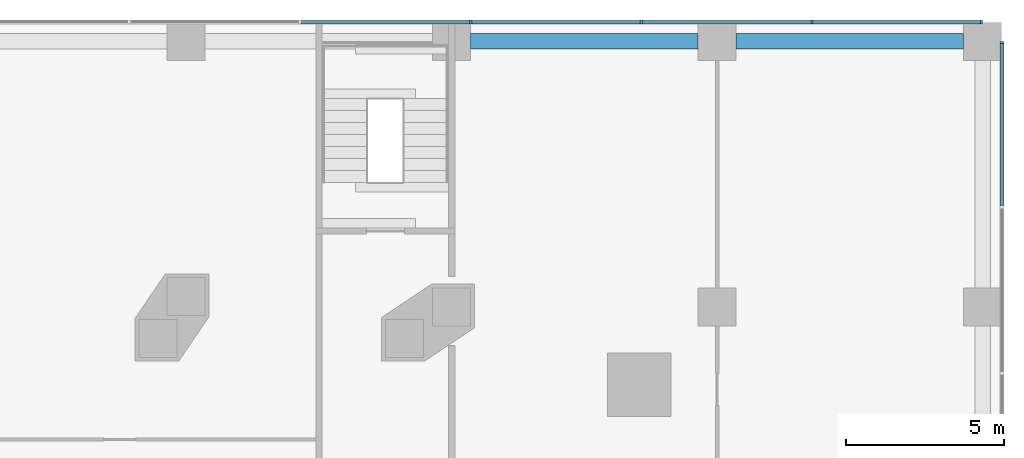
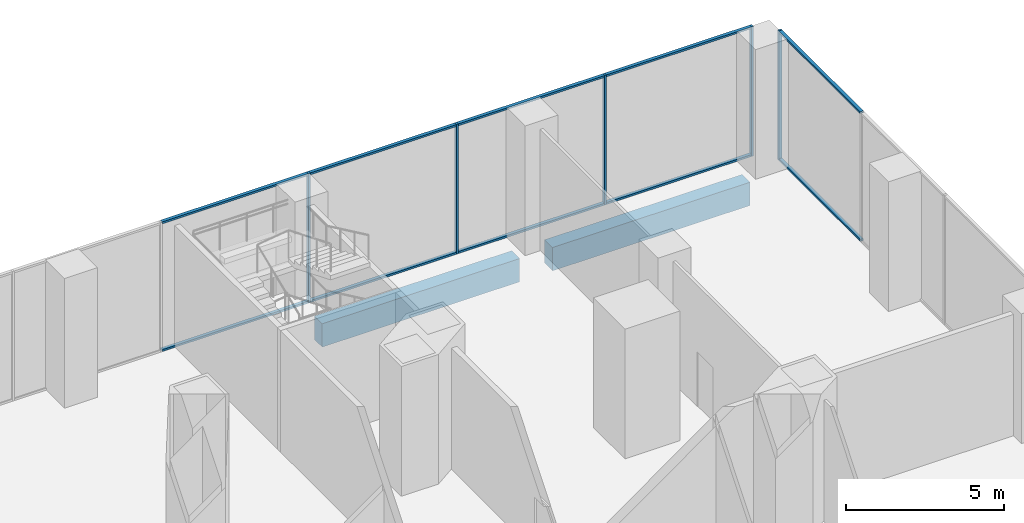
# One storey, part 12 of 28: 15 members, 2 beams, 2 elements without a shape of their own.
"""IFC4 building model written with IfcOpenShell, lengths in metres."""

from ifc_helpers import new_model, si_unit, direction, frame, origin, origin_2d, place, context, subcontext, project, spatial, rectangle, extrude, material, layer, layer_set, material_profile, profile_set, type_object, element, aggregate, save


model = new_model("IFC4")

# Units and contexts
model_context = context("Model", 3, precision=1e-05, world=origin(), true_north=direction((0.0, 1.0)))
body_context = subcontext(model_context, "Body", "Model", "MODEL_VIEW")
ifc_project = project(units=[si_unit("LENGTHUNIT", "METRE"), si_unit("AREAUNIT", "SQUARE_METRE"), si_unit("VOLUMEUNIT", "CUBIC_METRE"), si_unit("PLANEANGLEUNIT", "RADIAN"), si_unit("MASSUNIT", "GRAM", prefix="KILO")], contexts=[model_context])

# Site, building, storey
site_placement = place(None, origin())
site = spatial("IfcSite", under=ifc_project, at=site_placement, CompositionType="ELEMENT")
building_placement = place(site_placement, origin())
building = spatial("IfcBuilding", under=site, at=building_placement, Name="Marenta Gate Hotel Tower", CompositionType="ELEMENT")
storey_placement = place(building_placement, frame((0.0, 0.0, 26.0)))
storey = spatial("IfcBuildingStorey", under=building, at=storey_placement, Name="L04", CompositionType="ELEMENT", Elevation=26.0)

# Curtain wall, member
ifc_material_1 = material(Name="Tinted insulated glass in bronze anodised frame", Category="glass")
ifc_layer = layer(ifc_material_1, 0.1201171875)
ifc_layer_set = layer_set([ifc_layer], Name="Tinted insulated glass in bronze anodised frame")
curtain_wall_type = type_object("IfcCurtainWallType", Name="Wellness glazing CW7", PredefinedType="NOTDEFINED", material=ifc_layer_set)
curtain_wall_1_placement = place(storey_placement, origin())
curtain_wall_1 = element("IfcCurtainWall", 1, at=curtain_wall_1_placement, inside=storey, type_object=curtain_wall_type, Name="CW7 run NB-E000", PredefinedType="NOTDEFINED")
ifc_material_2 = material(Name="Bronze anodised aluminium", Category="aluminium")
ifc_material_profile_1 = material_profile(ifc_material_2, rectangle(XDim=0.1201171875, YDim=0.074951171875, at=origin_2d()), Name="Mullion CW7 75x120 bronze anodised aluminium")
ifc_profile_set_1 = profile_set([ifc_material_profile_1], Name="Bronze anodised aluminium")
member_type_1 = type_object("IfcMemberType", Name="Mullion CW7 75x120 bronze anodised aluminium", PredefinedType="MULLION", material=ifc_profile_set_1)
member_1_placement = place(storey_placement, frame((38.4140625, 41.96240234375, 0.0), z_axis=(0.0, 0.0, 1.0), x_axis=(-1.0, 0.0, 0.0)))
member_1 = element("IfcMember", 2, at=member_1_placement, type_object=member_type_1, Name="CW7 mullion 9", PredefinedType="MULLION", context=body_context, shape_type="SweptSolid", body=[
    extrude(rectangle(XDim=0.1201171875, YDim=0.074951171875, at=origin_2d()), origin(), (0.0, 0.0, 1.0), 5.0),
])

# Curtain wall, members
curtain_wall_2_placement = place(storey_placement, origin())
curtain_wall_2 = element("IfcCurtainWall", 3, at=curtain_wall_2_placement, inside=storey, type_object=curtain_wall_type, Name="CW7 run NB-N000", PredefinedType="NOTDEFINED")
member_2_placement = place(storey_placement, frame((37.762451171875, 42.614013671875, 0.0), z_axis=(0.0, 0.0, 1.0), x_axis=(0.0, -1.0, 0.0)))
member_2 = element("IfcMember", 4, at=member_2_placement, type_object=member_type_1, Name="CW7 mullion 1", PredefinedType="MULLION", context=body_context, shape_type="SweptSolid", body=[
    extrude(rectangle(XDim=0.1201171875, YDim=0.074951171875, at=origin_2d()), origin(), (0.0, 0.0, 1.0), 5.0),
])
member_3_placement = place(storey_placement, frame((32.39990234375, 42.614013671875, 0.0), z_axis=(0.0, 0.0, 1.0), x_axis=(0.0, -1.0, 0.0)))
member_3 = element("IfcMember", 5, at=member_3_placement, type_object=member_type_1, Name="CW7 mullion 2", PredefinedType="MULLION", context=body_context, shape_type="SweptSolid", body=[
    extrude(rectangle(XDim=0.1201171875, YDim=0.074951171875, at=origin_2d()), origin(), (0.0, 0.0, 1.0), 5.0),
])
member_4_placement = place(storey_placement, frame((27.0, 42.614013671875, 0.0), z_axis=(0.0, 0.0, 1.0), x_axis=(0.0, -1.0, 0.0)))
member_4 = element("IfcMember", 6, at=member_4_placement, type_object=member_type_1, Name="CW7 mullion 3", PredefinedType="MULLION", context=body_context, shape_type="SweptSolid", body=[
    extrude(rectangle(XDim=0.1201171875, YDim=0.074951171875, at=origin_2d()), origin(), (0.0, 0.0, 1.0), 5.0),
])
member_5_placement = place(storey_placement, frame((21.60009765625, 42.614013671875, 0.0), z_axis=(0.0, 0.0, 1.0), x_axis=(0.0, -1.0, 0.0)))
member_5 = element("IfcMember", 7, at=member_5_placement, type_object=member_type_1, Name="CW7 mullion 4", PredefinedType="MULLION", context=body_context, shape_type="SweptSolid", body=[
    extrude(rectangle(XDim=0.1201171875, YDim=0.074951171875, at=origin_2d()), origin(), (0.0, 0.0, 1.0), 5.0),
])

# Beams
ifc_material_3 = material(Name="Concrete C60", Category="concrete")
ifc_material_profile_2 = material_profile(ifc_material_3, rectangle(XDim=0.5, YDim=0.89990234375, at=origin_2d()), Name="500 x 900")
ifc_profile_set_2 = profile_set([ifc_material_profile_2], Name="Concrete C60")
beam_type = type_object("IfcBeamType", Name="Podium edge beam 500 x 900 C60", PredefinedType="BEAM", material=ifc_profile_set_2)
for number, where, z_axis, x_axis, name in (
    (8, (37.199951171875, 42.0, -0.77001953125), (-1.0, 0.0, 0.0), (0.0, -1.0, 0.0), "L04-PBM-161"),
    (9, (28.800048828125, 42.0, -0.77001953125), (-1.0, 0.0, 0.0), (0.0, -1.0, 0.0), "L04-PBM-162"),
):
    element("IfcBeam", number, at=place(storey_placement, frame(where, z_axis=z_axis, x_axis=x_axis)), inside=storey, type_object=beam_type, Name=name, PredefinedType="BEAM", context=body_context, shape_type="SweptSolid", body=[
        extrude(rectangle(XDim=0.5, YDim=0.89990234375, at=origin_2d()), origin(), (0.0, 0.0, 1.0), 7.199951171875),
    ])

# Member
ifc_material_4 = material(Name="Bronze anodised aluminium", Category="aluminium")
ifc_material_profile_3 = material_profile(ifc_material_4, rectangle(XDim=0.1201171875, YDim=0.074951171875, at=origin_2d()), Name="Transom CW7 75x120 bronze anodised aluminium")
ifc_profile_set_3 = profile_set([ifc_material_profile_3], Name="Bronze anodised aluminium")
member_type_2 = type_object("IfcMemberType", Name="Transom CW7 75x120 bronze anodised aluminium", PredefinedType="USERDEFINED", material=ifc_profile_set_3)
member_6_placement = place(storey_placement, frame((38.4140625, 36.78759765625, 0.03759765625), z_axis=(0.0, 1.0, 0.0), x_axis=(-1.0, 0.0, 0.0)))
member_6 = element("IfcMember", 10, at=member_6_placement, type_object=member_type_2, Name="CW7 transom 8.1", ObjectType="TRANSOM", PredefinedType="USERDEFINED", context=body_context, shape_type="SweptSolid", body=[
    extrude(rectangle(XDim=0.1201171875, YDim=0.074951171875, at=origin_2d()), origin(), (0.0, 0.0, 1.0), 5.137451171875),
])

member_7_placement = place(storey_placement, frame((38.4140625, 36.78759765625, 4.96240234375), z_axis=(0.0, 1.0, 0.0), x_axis=(-1.0, 0.0, 0.0)))
member_7 = element("IfcMember", 11, at=member_7_placement, type_object=member_type_2, Name="CW7 transom 8.2", ObjectType="TRANSOM", PredefinedType="USERDEFINED", context=body_context, shape_type="SweptSolid", body=[
    extrude(rectangle(XDim=0.1201171875, YDim=0.074951171875, at=origin_2d()), origin(), (0.0, 0.0, 1.0), 5.137451171875),
])

aggregate(curtain_wall_1, [member_1, member_6, member_7])

member_8_placement = place(storey_placement, frame((37.72509765625, 42.614013671875, 0.03759765625), z_axis=(-1.0, 0.0, 0.0), x_axis=(0.0, -1.0, 0.0)))
member_8 = element("IfcMember", 12, at=member_8_placement, type_object=member_type_2, Name="CW7 transom 1.1", ObjectType="TRANSOM", PredefinedType="USERDEFINED", context=body_context, shape_type="SweptSolid", body=[
    extrude(rectangle(XDim=0.1201171875, YDim=0.074951171875, at=origin_2d()), origin(), (0.0, 0.0, 1.0), 5.28759765625),
])

member_9_placement = place(storey_placement, frame((37.72509765625, 42.614013671875, 4.96240234375), z_axis=(-1.0, 0.0, 0.0), x_axis=(0.0, -1.0, 0.0)))
member_9 = element("IfcMember", 13, at=member_9_placement, type_object=member_type_2, Name="CW7 transom 1.2", ObjectType="TRANSOM", PredefinedType="USERDEFINED", context=body_context, shape_type="SweptSolid", body=[
    extrude(rectangle(XDim=0.1201171875, YDim=0.074951171875, at=origin_2d()), origin(), (0.0, 0.0, 1.0), 5.28759765625),
])

member_10_placement = place(storey_placement, frame((32.362548828125, 42.614013671875, 0.03759765625), z_axis=(-1.0, 0.0, 0.0), x_axis=(0.0, -1.0, 0.0)))
member_10 = element("IfcMember", 14, at=member_10_placement, type_object=member_type_2, Name="CW7 transom 2.1", ObjectType="TRANSOM", PredefinedType="USERDEFINED", context=body_context, shape_type="SweptSolid", body=[
    extrude(rectangle(XDim=0.1201171875, YDim=0.074951171875, at=origin_2d()), origin(), (0.0, 0.0, 1.0), 5.324951171875),
])

member_11_placement = place(storey_placement, frame((32.362548828125, 42.614013671875, 4.96240234375), z_axis=(-1.0, 0.0, 0.0), x_axis=(0.0, -1.0, 0.0)))
member_11 = element("IfcMember", 15, at=member_11_placement, type_object=member_type_2, Name="CW7 transom 2.2", ObjectType="TRANSOM", PredefinedType="USERDEFINED", context=body_context, shape_type="SweptSolid", body=[
    extrude(rectangle(XDim=0.1201171875, YDim=0.074951171875, at=origin_2d()), origin(), (0.0, 0.0, 1.0), 5.324951171875),
])

member_12_placement = place(storey_placement, frame((26.96240234375, 42.614013671875, 0.03759765625), z_axis=(-1.0, 0.0, 0.0), x_axis=(0.0, -1.0, 0.0)))
member_12 = element("IfcMember", 16, at=member_12_placement, type_object=member_type_2, Name="CW7 transom 3.1", ObjectType="TRANSOM", PredefinedType="USERDEFINED", context=body_context, shape_type="SweptSolid", body=[
    extrude(rectangle(XDim=0.1201171875, YDim=0.074951171875, at=origin_2d()), origin(), (0.0, 0.0, 1.0), 5.324951171875),
])

member_13_placement = place(storey_placement, frame((26.96240234375, 42.614013671875, 4.96240234375), z_axis=(-1.0, 0.0, 0.0), x_axis=(0.0, -1.0, 0.0)))
member_13 = element("IfcMember", 17, at=member_13_placement, type_object=member_type_2, Name="CW7 transom 3.2", ObjectType="TRANSOM", PredefinedType="USERDEFINED", context=body_context, shape_type="SweptSolid", body=[
    extrude(rectangle(XDim=0.1201171875, YDim=0.074951171875, at=origin_2d()), origin(), (0.0, 0.0, 1.0), 5.324951171875),
])

member_14_placement = place(storey_placement, frame((21.5625, 42.614013671875, 0.03759765625), z_axis=(-1.0, 0.0, 0.0), x_axis=(0.0, -1.0, 0.0)))
member_14 = element("IfcMember", 18, at=member_14_placement, type_object=member_type_2, Name="CW7 transom 4.1", ObjectType="TRANSOM", PredefinedType="USERDEFINED", context=body_context, shape_type="SweptSolid", body=[
    extrude(rectangle(XDim=0.1201171875, YDim=0.074951171875, at=origin_2d()), origin(), (0.0, 0.0, 1.0), 5.324951171875),
])

member_15_placement = place(storey_placement, frame((21.5625, 42.614013671875, 4.96240234375), z_axis=(-1.0, 0.0, 0.0), x_axis=(0.0, -1.0, 0.0)))
member_15 = element("IfcMember", 19, at=member_15_placement, type_object=member_type_2, Name="CW7 transom 4.2", ObjectType="TRANSOM", PredefinedType="USERDEFINED", context=body_context, shape_type="SweptSolid", body=[
    extrude(rectangle(XDim=0.1201171875, YDim=0.074951171875, at=origin_2d()), origin(), (0.0, 0.0, 1.0), 5.324951171875),
])

aggregate(curtain_wall_2, [member_2, member_3, member_4, member_5, member_8, member_9, member_10, member_11, member_12, member_13, member_14, member_15])

save(model, "model.ifc")
